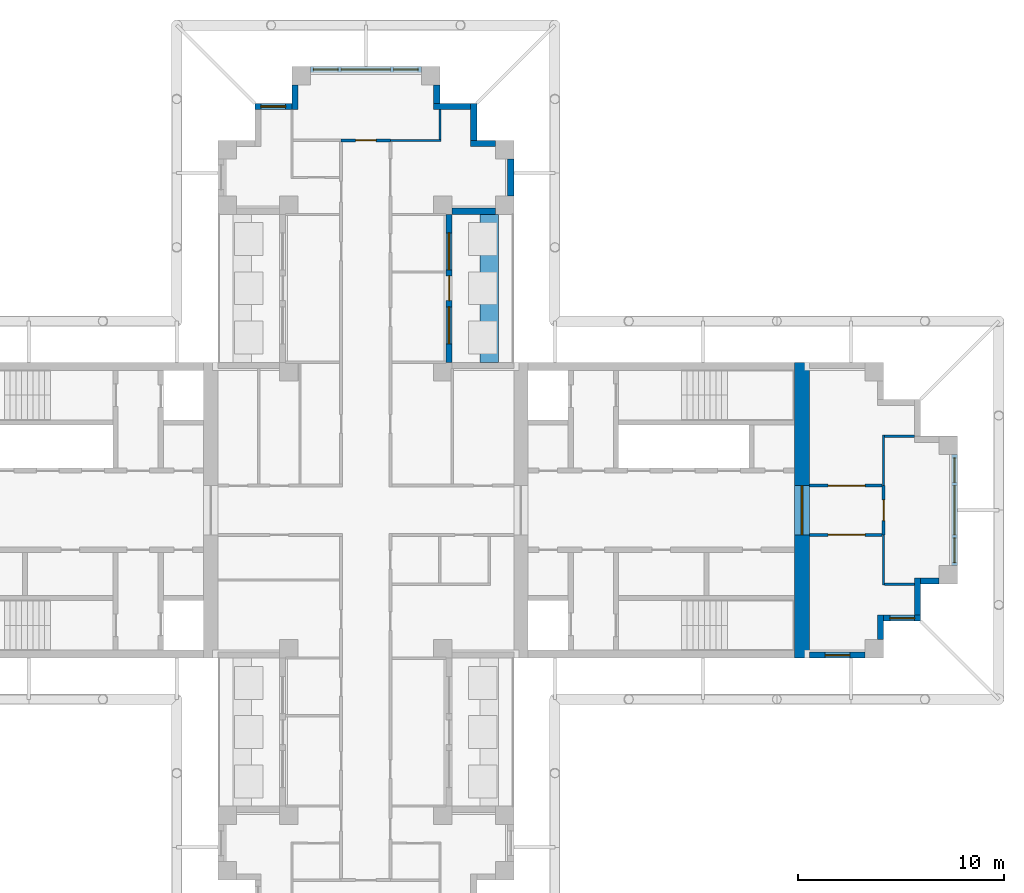
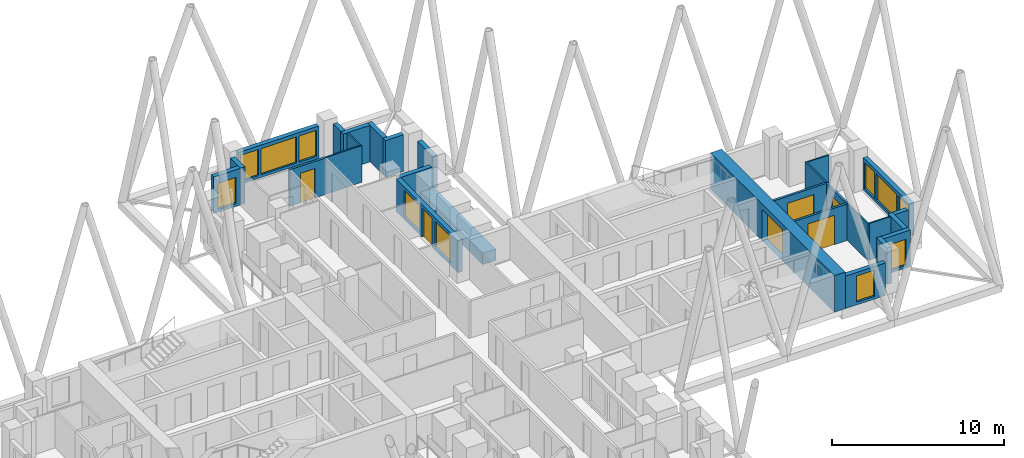
# One storey, part 8 of 11: 28 walls, 11 windows, 6 doors, 17 openings.
"""IFC4 building model written with IfcOpenShell, lengths in metres."""

from ifc_helpers import new_model, si_unit, direction, frame, frame_2d, origin, place, context, subcontext, project, spatial, rectangle, extrude, material, layer, layer_set, type_object, element, fill, save


model = new_model("IFC4")

# Units and contexts
model_context = context("Model", 3, precision=1e-05, world=origin(), true_north=direction((0.0, 1.0)))
body_context = subcontext(model_context, "Body", "Model", "MODEL_VIEW")
ifc_project = project(units=[si_unit("LENGTHUNIT", "METRE"), si_unit("AREAUNIT", "SQUARE_METRE"), si_unit("VOLUMEUNIT", "CUBIC_METRE"), si_unit("PLANEANGLEUNIT", "RADIAN"), si_unit("MASSUNIT", "GRAM", prefix="KILO")], contexts=[model_context])

# Site, building, storey
site_placement = place(None, origin())
site = spatial("IfcSite", under=ifc_project, at=site_placement, CompositionType="ELEMENT")
building_placement = place(site_placement, origin())
building = spatial("IfcBuilding", under=site, at=building_placement, Name="Fustian Cross Tower", CompositionType="ELEMENT")
storey_placement = place(building_placement, frame((0.0, 0.0, 198.89990234375)))
storey = spatial("IfcBuildingStorey", under=building, at=storey_placement, Name="L62", CompositionType="ELEMENT", Elevation=198.89990234375)

# Wall, opening, door
ifc_material_1 = material(Name="Plasterboard on steel stud", Category="steel")
ifc_layer_1 = layer(ifc_material_1, 0.14990234375)
ifc_layer_set_1 = layer_set([ifc_layer_1], Name="Plasterboard on steel stud")
wall_type_1 = type_object("IfcWallType", Name="COMPARTMENT WALL 150 EI 60", PredefinedType="PARTITIONING", material=ifc_layer_set_1)
wall_1_placement = place(storey_placement, frame((-1.199951171875, 18.0, 0.0), z_axis=(0.0, 0.0, 1.0), x_axis=(1.0, 0.0, 0.0)))
wall_1 = element("IfcWall", 1, at=wall_1_placement, inside=storey, type_object=wall_type_1, Name="Partition 29", PredefinedType="PARTITIONING", context=body_context, shape_type="SweptSolid", body=[
    extrude(rectangle(XDim=2.39990234375, YDim=0.14990234375, at=frame_2d((1.199951171875, 0.0))), origin(), (0.0, 0.0, 1.0), 2.60009765625),
])
opening_1_placement = place(wall_1_placement, frame((0.699951171875, 0.0, 0.0)))
opening_1 = element("IfcOpeningElement", 2, at=opening_1_placement, cuts=wall_1, Name="Opening D29014", PredefinedType="OPENING", context=body_context, shape_type="SweptSolid", body=[
    extrude(rectangle(XDim=1.0, YDim=2.10009765625, at=frame_2d((0.5, 1.050048828125))), frame((0.0, 0.0849609375, 0.0), z_axis=(0.0, -1.0, 0.0), x_axis=(1.0, 0.0, 0.0)), (0.0, 0.0, 1.0), 0.169921875),
])
ifc_material_2 = material(Name="Timber fire door set", Category="wood")
door_type_1 = type_object("IfcDoorType", Name="FIRE SWING DOOR 1000 FD30S", OperationType="SINGLE_SWING_LEFT", PredefinedType="DOOR", material=ifc_material_2)
door_1_placement = place(opening_1_placement, origin())
door_1 = element("IfcDoor", 3, at=door_1_placement, inside=storey, type_object=door_type_1, Name="Door D29014", OperationType="SINGLE_SWING_LEFT", OverallHeight=2.10009765625, OverallWidth=1.0, PredefinedType="DOOR", context=body_context, shape_type="SweptSolid", body=[
    extrude(rectangle(XDim=1.0, YDim=2.10009765625, at=frame_2d((0.5, 1.050048828125))), frame((0.0, 0.02490234375, 0.0), z_axis=(0.0, -1.0, 0.0), x_axis=(1.0, 0.0, 0.0)), (0.0, 0.0, 1.0), 0.050048828125),
])
fill(opening_1, door_1)

wall_2_placement = place(storey_placement, frame((21.60009765625, -1.199951171875, 0.0), z_axis=(0.0, 0.0, 1.0), x_axis=(1.0, 0.0, 0.0)))
wall_2 = element("IfcWall", 4, at=wall_2_placement, inside=storey, type_object=wall_type_1, Name="Partition 48", PredefinedType="PARTITIONING", context=body_context, shape_type="SweptSolid", body=[
    extrude(rectangle(XDim=3.52490234375, YDim=0.14990234375, at=frame_2d((1.762451171875, 0.0))), origin(), (0.0, 0.0, 1.0), 2.60009765625),
])
opening_2_placement = place(wall_2_placement, frame((0.89990234375, 0.0, 0.0)))
opening_2 = element("IfcOpeningElement", 5, at=opening_2_placement, cuts=wall_2, Name="Opening D29013", PredefinedType="OPENING", context=body_context, shape_type="SweptSolid", body=[
    extrude(rectangle(XDim=1.800048828125, YDim=2.10009765625, at=frame_2d((0.89990234375, 1.050048828125))), frame((0.0, 0.0849609375, 0.0), z_axis=(0.0, -1.0, 0.0), x_axis=(1.0, 0.0, 0.0)), (0.0, 0.0, 1.0), 0.169921875),
])
ifc_material_3 = material(Name="Timber fire door set", Category="wood")
door_type_2 = type_object("IfcDoorType", Name="FIRE DOUBLE DOOR 1800 FD30S", OperationType="DOUBLE_DOOR_DOUBLE_SWING", PredefinedType="DOOR", material=ifc_material_3)
door_2_placement = place(opening_2_placement, origin())
door_2 = element("IfcDoor", 6, at=door_2_placement, inside=storey, type_object=door_type_2, Name="Door D29013", OperationType="DOUBLE_DOOR_DOUBLE_SWING", OverallHeight=2.10009765625, OverallWidth=1.800048828125, PredefinedType="DOOR", context=body_context, shape_type="SweptSolid", body=[
    extrude(rectangle(XDim=1.800048828125, YDim=2.10009765625, at=frame_2d((0.89990234375, 1.050048828125))), frame((0.0, 0.02490234375, 0.0), z_axis=(0.0, -1.0, 0.0), x_axis=(1.0, 0.0, 0.0)), (0.0, 0.0, 1.0), 0.050048828125),
])
fill(opening_2, door_2)

wall_3_placement = place(storey_placement, frame((21.60009765625, 1.199951171875, 0.0), z_axis=(0.0, 0.0, 1.0), x_axis=(1.0, 0.0, 0.0)))
wall_3 = element("IfcWall", 7, at=wall_3_placement, inside=storey, type_object=wall_type_1, Name="Partition 49", PredefinedType="PARTITIONING", context=body_context, shape_type="SweptSolid", body=[
    extrude(rectangle(XDim=3.52490234375, YDim=0.14990234375, at=frame_2d((1.762451171875, 0.0))), origin(), (0.0, 0.0, 1.0), 2.60009765625),
])
opening_3_placement = place(wall_3_placement, frame((0.89990234375, 0.0, 0.0)))
opening_3 = element("IfcOpeningElement", 8, at=opening_3_placement, cuts=wall_3, Name="Opening D29012", PredefinedType="OPENING", context=body_context, shape_type="SweptSolid", body=[
    extrude(rectangle(XDim=1.800048828125, YDim=2.10009765625, at=frame_2d((0.89990234375, 1.050048828125))), frame((0.0, 0.0849609375, 0.0), z_axis=(0.0, -1.0, 0.0), x_axis=(1.0, 0.0, 0.0)), (0.0, 0.0, 1.0), 0.169921875),
])
door_3_placement = place(opening_3_placement, frame((1.800048828125, 0.0, 0.0), z_axis=(0.0, 0.0, 1.0), x_axis=(-1.0, 0.0, 0.0)))
door_3 = element("IfcDoor", 9, at=door_3_placement, inside=storey, type_object=door_type_2, Name="Door D29012", OperationType="DOUBLE_DOOR_DOUBLE_SWING", OverallHeight=2.10009765625, OverallWidth=1.800048828125, PredefinedType="DOOR", context=body_context, shape_type="SweptSolid", body=[
    extrude(rectangle(XDim=1.800048828125, YDim=2.10009765625, at=frame_2d((0.89990234375, 1.050048828125))), frame((0.0, 0.02490234375, 0.0), z_axis=(0.0, -1.0, 0.0), x_axis=(1.0, 0.0, 0.0)), (0.0, 0.0, 1.0), 0.050048828125),
])
fill(opening_3, door_3)

wall_4_placement = place(storey_placement, frame((25.199951171875, -1.199951171875, 0.0), z_axis=(0.0, 0.0, 1.0), x_axis=(0.0, 1.0, 0.0)))
wall_4 = element("IfcWall", 10, at=wall_4_placement, inside=storey, type_object=wall_type_1, Name="Partition 52", PredefinedType="PARTITIONING", context=body_context, shape_type="SweptSolid", body=[
    extrude(rectangle(XDim=2.39990234375, YDim=0.14990234375, at=frame_2d((1.199951171875, 0.0))), origin(), (0.0, 0.0, 1.0), 2.60009765625),
])
opening_4_placement = place(wall_4_placement, frame((0.699951171875, 0.0, 0.0)))
opening_4 = element("IfcOpeningElement", 11, at=opening_4_placement, cuts=wall_4, Name="Opening D29011", PredefinedType="OPENING", context=body_context, shape_type="SweptSolid", body=[
    extrude(rectangle(XDim=1.0, YDim=2.10009765625, at=frame_2d((0.5, 1.050048828125))), frame((0.0, 0.0849609375, 0.0), z_axis=(0.0, -1.0, 0.0), x_axis=(1.0, 0.0, 0.0)), (0.0, 0.0, 1.0), 0.169921875),
])
door_4_placement = place(opening_4_placement, frame((1.0, 0.0, 0.0), z_axis=(0.0, 0.0, 1.0), x_axis=(-1.0, 0.0, 0.0)))
door_4 = element("IfcDoor", 12, at=door_4_placement, inside=storey, type_object=door_type_1, Name="Door D29011", OperationType="SINGLE_SWING_RIGHT", OverallHeight=2.10009765625, OverallWidth=1.0, PredefinedType="DOOR", context=body_context, shape_type="SweptSolid", body=[
    extrude(rectangle(XDim=1.0, YDim=2.10009765625, at=frame_2d((0.5, 1.050048828125))), frame((0.0, 0.02490234375, 0.0), z_axis=(0.0, -1.0, 0.0), x_axis=(1.0, 0.0, 0.0)), (0.0, 0.0, 1.0), 0.050048828125),
])
fill(opening_4, door_4)

ifc_material_4 = material(Name="Concrete C50/60", Category="concrete")
ifc_layer_2 = layer(ifc_material_4, 0.75)
ifc_layer_set_2 = layer_set([ifc_layer_2], Name="Concrete C50/60")
wall_type_2 = type_object("IfcWallType", Name="CORE END WALL 750 C50/60", PredefinedType="SHEAR", material=ifc_layer_set_2)
wall_5_placement = place(storey_placement, frame((21.22509765625, -7.199951171875, 0.0), z_axis=(0.0, 0.0, 1.0), x_axis=(0.0, 1.0, 0.0)))
wall_5 = element("IfcWall", 13, at=wall_5_placement, inside=storey, type_object=wall_type_2, Name="Core end wall", PredefinedType="SHEAR", context=body_context, shape_type="SweptSolid", body=[
    extrude(rectangle(XDim=14.39990234375, YDim=0.75, at=frame_2d((7.199951171875, 0.0))), origin(), (0.0, 0.0, 1.0), 2.60009765625),
])
opening_5_placement = place(wall_5_placement, frame((6.0, 0.0, 0.0)))
opening_5 = element("IfcOpeningElement", 14, at=opening_5_placement, cuts=wall_5, Name="Opening CD-27-13", PredefinedType="OPENING", context=body_context, shape_type="SweptSolid", body=[
    extrude(rectangle(XDim=2.39990234375, YDim=2.199951171875, at=frame_2d((1.199951171875, 1.10009765625))), frame((0.0, 0.385009765625, 0.0), z_axis=(0.0, -1.0, 0.0), x_axis=(1.0, 0.0, 0.0)), (0.0, 0.0, 1.0), 0.77001953125),
])
ifc_material_5 = material(Name="Steel", Category="steel")
door_type_3 = type_object("IfcDoorType", Name="FIRE DOOR FD30S DOUBLE 2400X2200", OperationType="DOUBLE_DOOR_DOUBLE_SWING", PredefinedType="DOOR", material=ifc_material_5)
door_5_placement = place(opening_5_placement, origin())
door_5 = element("IfcDoor", 15, at=door_5_placement, inside=storey, type_object=door_type_3, Name="Core door CD-27-13", OperationType="DOUBLE_DOOR_DOUBLE_SWING", OverallHeight=2.199951171875, OverallWidth=2.39990234375, PredefinedType="DOOR", context=body_context, shape_type="SweptSolid", body=[
    extrude(rectangle(XDim=2.39990234375, YDim=2.199951171875, at=frame_2d((1.199951171875, 1.10009765625))), frame((0.0, 0.02490234375, 0.0), z_axis=(0.0, -1.0, 0.0), x_axis=(1.0, 0.0, 0.0)), (0.0, 0.0, 1.0), 0.050048828125),
])
fill(opening_5, door_5)

# Walls
ifc_material_6 = material(Name="Plasterboard on steel stud", Category="steel")
ifc_layer_3 = layer(ifc_material_6, 0.10009765625)
ifc_layer_set_3 = layer_set([ifc_layer_3], Name="Plasterboard on steel stud")
wall_type_3 = type_object("IfcWallType", Name="PARTITION 100 STUD", PredefinedType="PARTITIONING", material=ifc_layer_set_3)
wall_6_placement = place(storey_placement, frame((1.199951171875, 18.0, 0.0), z_axis=(0.0, 0.0, 1.0), x_axis=(1.0, 0.0, 0.0)))
element("IfcWall", 16, at=wall_6_placement, inside=storey, type_object=wall_type_3, Name="Partition 42", PredefinedType="PARTITIONING", context=body_context, shape_type="SweptSolid", body=[
    extrude(rectangle(XDim=2.449951171875, YDim=0.10009765625, at=frame_2d((1.22509765625, 0.0))), origin(), (0.0, 0.0, 1.0), 2.60009765625),
])
wall_7_placement = place(storey_placement, frame((3.60009765625, 18.050048828125, 0.0), z_axis=(0.0, 0.0, 1.0), x_axis=(0.0, 1.0, 0.0)))
element("IfcWall", 17, at=wall_7_placement, inside=storey, type_object=wall_type_3, Name="Partition 45", PredefinedType="PARTITIONING", context=body_context, shape_type="SweptSolid", body=[
    extrude(rectangle(XDim=1.449951171875, YDim=0.10009765625, at=frame_2d((0.72509765625, 0.0))), origin(), (0.0, 0.0, 1.0), 2.60009765625),
])
wall_8_placement = place(storey_placement, frame((25.199951171875, -3.64990234375, 0.0), z_axis=(0.0, 0.0, 1.0), x_axis=(0.0, 1.0, 0.0)))
element("IfcWall", 18, at=wall_8_placement, inside=storey, type_object=wall_type_3, Name="Partition 50", PredefinedType="PARTITIONING", context=body_context, shape_type="SweptSolid", body=[
    extrude(rectangle(XDim=2.449951171875, YDim=0.10009765625, at=frame_2d((1.22509765625, 0.0))), origin(), (0.0, 0.0, 1.0), 2.60009765625),
])
wall_9_placement = place(storey_placement, frame((25.25, -3.60009765625, 0.0), z_axis=(0.0, 0.0, 1.0), x_axis=(1.0, 0.0, 0.0)))
element("IfcWall", 19, at=wall_9_placement, inside=storey, type_object=wall_type_3, Name="Partition 51", PredefinedType="PARTITIONING", context=body_context, shape_type="SweptSolid", body=[
    extrude(rectangle(XDim=1.449951171875, YDim=0.10009765625, at=frame_2d((0.72509765625, 0.0))), origin(), (0.0, 0.0, 1.0), 2.60009765625),
])
wall_10_placement = place(storey_placement, frame((25.199951171875, 1.199951171875, 0.0), z_axis=(0.0, 0.0, 1.0), x_axis=(0.0, 1.0, 0.0)))
element("IfcWall", 20, at=wall_10_placement, inside=storey, type_object=wall_type_3, Name="Partition 53", PredefinedType="PARTITIONING", context=body_context, shape_type="SweptSolid", body=[
    extrude(rectangle(XDim=2.449951171875, YDim=0.10009765625, at=frame_2d((1.22509765625, 0.0))), origin(), (0.0, 0.0, 1.0), 2.60009765625),
])
wall_11_placement = place(storey_placement, frame((25.25, 3.60009765625, 0.0), z_axis=(0.0, 0.0, 1.0), x_axis=(1.0, 0.0, 0.0)))
element("IfcWall", 21, at=wall_11_placement, inside=storey, type_object=wall_type_3, Name="Partition 54", PredefinedType="PARTITIONING", context=body_context, shape_type="SweptSolid", body=[
    extrude(rectangle(XDim=1.449951171875, YDim=0.10009765625, at=frame_2d((0.72509765625, 0.0))), origin(), (0.0, 0.0, 1.0), 2.60009765625),
])
ifc_material_7 = material(Name="Concrete C40/50", Category="concrete")
ifc_layer_4 = layer(ifc_material_7, 0.89990234375)
ifc_layer_set_4 = layer_set([ifc_layer_4], Name="Concrete C40/50")
wall_type_4 = type_object("IfcWallType", Name="PK1 PLANTER 900", PredefinedType="PARAPET", material=ifc_layer_set_4)
wall_12_placement = place(storey_placement, frame((6.0, 7.199951171875, 0.0), z_axis=(0.0, 0.0, 1.0), x_axis=(0.0, 1.0, 0.0)))
element("IfcWall", 22, at=wall_12_placement, inside=storey, type_object=wall_type_4, Name="PLANTER", PredefinedType="PARAPET", context=body_context, shape_type="SweptSolid", body=[
    extrude(rectangle(XDim=7.199951171875, YDim=0.89990234375, at=frame_2d((3.60009765625, 0.0))), origin(), (0.0, 0.0, 1.0), 0.800048828125),
])

# Wall, opening, window
ifc_material_8 = material(Name="Dark aluminium cladding on insulated backing wall", Category="aluminium")
ifc_layer_5 = layer(ifc_material_8, 0.300048828125)
ifc_layer_set_5 = layer_set([ifc_layer_5], Name="Dark aluminium cladding on insulated backing wall")
wall_type_5 = type_object("IfcWallType", Name="XW1 EXTERNAL WALL 300", PredefinedType="SOLIDWALL", material=ifc_layer_set_5)
wall_13_placement = place(storey_placement, frame((21.60009765625, -7.050048828125, 0.0), z_axis=(0.0, 0.0, 1.0), x_axis=(1.0, 0.0, 0.0)))
wall_13 = element("IfcWall", 23, at=wall_13_placement, inside=storey, type_object=wall_type_5, Name="External wall", PredefinedType="SOLIDWALL", context=body_context, shape_type="SweptSolid", body=[
    extrude(rectangle(XDim=2.699951171875, YDim=0.300048828125, at=frame_2d((1.35009765625, 0.0))), origin(), (0.0, 0.0, 1.0), 2.300048828125),
])
opening_6_placement = place(wall_13_placement, frame((0.75, 0.0, 0.199951171875)))
opening_6 = element("IfcOpeningElement", 24, at=opening_6_placement, cuts=wall_13, Name="Opening WN3", PredefinedType="OPENING", context=body_context, shape_type="SweptSolid", body=[
    extrude(rectangle(XDim=1.199951171875, YDim=1.85009765625, at=frame_2d((0.60009765625, 0.925048828125))), frame((0.0, 0.159912109375, 0.0), z_axis=(0.0, -1.0, 0.0), x_axis=(1.0, 0.0, 0.0)), (0.0, 0.0, 1.0), 0.320068359375),
])
ifc_material_9 = material(Name="Dark anodised aluminium and double glazing", Category="aluminium")
window_type_1 = type_object("IfcWindowType", Name="WN3 WINDOW 1200X1850", PartitioningType="SINGLE_PANEL", PredefinedType="WINDOW", material=ifc_material_9)
window_1_placement = place(opening_6_placement, origin())
window_1 = element("IfcWindow", 25, at=window_1_placement, inside=storey, type_object=window_type_1, Name="Window", OverallHeight=1.85009765625, OverallWidth=1.199951171875, PartitioningType="SINGLE_PANEL", PredefinedType="WINDOW", context=body_context, shape_type="SweptSolid", body=[
    extrude(rectangle(XDim=1.199951171875, YDim=1.85009765625, at=frame_2d((0.60009765625, 0.925048828125))), frame((0.0, 0.030029296875, 0.0), z_axis=(0.0, -1.0, 0.0), x_axis=(1.0, 0.0, 0.0)), (0.0, 0.0, 1.0), 0.06005859375),
])
fill(opening_6, window_1)

# Wall
wall_14_placement = place(storey_placement, frame((25.050048828125, -6.300048828125, 0.0), z_axis=(0.0, 0.0, 1.0), x_axis=(0.0, 1.0, 0.0)))
element("IfcWall", 26, at=wall_14_placement, inside=storey, type_object=wall_type_5, Name="External wall", PredefinedType="SOLIDWALL", context=body_context, shape_type="SweptSolid", body=[
    extrude(rectangle(XDim=1.199951171875, YDim=0.300048828125, at=frame_2d((0.60009765625, 0.0))), origin(), (0.0, 0.0, 1.0), 2.60009765625),
])

# Wall, opening, window
wall_15_placement = place(storey_placement, frame((25.199951171875, -5.25, 0.0), z_axis=(0.0, 0.0, 1.0), x_axis=(1.0, 0.0, 0.0)))
wall_15 = element("IfcWall", 27, at=wall_15_placement, inside=storey, type_object=wall_type_5, Name="External wall", PredefinedType="SOLIDWALL", context=body_context, shape_type="SweptSolid", body=[
    extrude(rectangle(XDim=1.800048828125, YDim=0.300048828125, at=frame_2d((0.89990234375, 0.0))), origin(), (0.0, 0.0, 1.0), 2.60009765625),
])
opening_7_placement = place(wall_15_placement, frame((0.300048828125, 0.0, 0.199951171875)))
opening_7 = element("IfcOpeningElement", 28, at=opening_7_placement, cuts=wall_15, Name="Opening WN3", PredefinedType="OPENING", context=body_context, shape_type="SweptSolid", body=[
    extrude(rectangle(XDim=1.199951171875, YDim=1.85009765625, at=frame_2d((0.60009765625, 0.925048828125))), frame((0.0, 0.159912109375, 0.0), z_axis=(0.0, -1.0, 0.0), x_axis=(1.0, 0.0, 0.0)), (0.0, 0.0, 1.0), 0.320068359375),
])
window_2_placement = place(opening_7_placement, origin())
window_2 = element("IfcWindow", 29, at=window_2_placement, inside=storey, type_object=window_type_1, Name="Window", OverallHeight=1.85009765625, OverallWidth=1.199951171875, PartitioningType="SINGLE_PANEL", PredefinedType="WINDOW", context=body_context, shape_type="SweptSolid", body=[
    extrude(rectangle(XDim=1.199951171875, YDim=1.85009765625, at=frame_2d((0.60009765625, 0.925048828125))), frame((0.0, 0.030029296875, 0.0), z_axis=(0.0, -1.0, 0.0), x_axis=(1.0, 0.0, 0.0)), (0.0, 0.0, 1.0), 0.06005859375),
])
fill(opening_7, window_2)

# Walls
wall_16_placement = place(storey_placement, frame((26.85009765625, -5.10009765625, 0.0), z_axis=(0.0, 0.0, 1.0), x_axis=(0.0, 1.0, 0.0)))
element("IfcWall", 30, at=wall_16_placement, inside=storey, type_object=wall_type_5, Name="External wall", PredefinedType="SOLIDWALL", context=body_context, shape_type="SweptSolid", body=[
    extrude(rectangle(XDim=1.800048828125, YDim=0.300048828125, at=frame_2d((0.89990234375, 0.0))), origin(), (0.0, 0.0, 1.0), 2.60009765625),
])
wall_17_placement = place(storey_placement, frame((27.0, -3.449951171875, 0.0), z_axis=(0.0, 0.0, 1.0), x_axis=(1.0, 0.0, 0.0)))
element("IfcWall", 31, at=wall_17_placement, inside=storey, type_object=wall_type_5, Name="External wall", PredefinedType="SOLIDWALL", context=body_context, shape_type="SweptSolid", body=[
    extrude(rectangle(XDim=0.89990234375, YDim=0.300048828125, at=frame_2d((0.449951171875, 0.0))), origin(), (0.0, 0.0, 1.0), 2.60009765625),
])

# Wall, openings, windows
wall_18_placement = place(storey_placement, frame((28.64990234375, -2.699951171875, 0.0), z_axis=(0.0, 0.0, 1.0), x_axis=(0.0, 1.0, 0.0)))
wall_18 = element("IfcWall", 32, at=wall_18_placement, inside=storey, type_object=wall_type_5, Name="External wall", PredefinedType="SOLIDWALL", context=body_context, shape_type="SweptSolid", body=[
    extrude(rectangle(XDim=5.39990234375, YDim=0.300048828125, at=frame_2d((2.699951171875, 0.0))), origin(), (0.0, 0.0, 1.0), 2.300048828125),
])
opening_8_placement = place(wall_18_placement, frame((1.5, 0.0, 0.199951171875)))
opening_8 = element("IfcOpeningElement", 33, at=opening_8_placement, cuts=wall_18, Name="Opening WN1", PredefinedType="OPENING", context=body_context, shape_type="SweptSolid", body=[
    extrude(rectangle(XDim=2.39990234375, YDim=1.85009765625, at=frame_2d((1.199951171875, 0.925048828125))), frame((0.0, 0.159912109375, 0.0), z_axis=(0.0, -1.0, 0.0), x_axis=(1.0, 0.0, 0.0)), (0.0, 0.0, 1.0), 0.320068359375),
])
opening_9_placement = place(wall_18_placement, frame((0.14990234375, 0.0, 0.199951171875)))
opening_9 = element("IfcOpeningElement", 34, at=opening_9_placement, cuts=wall_18, Name="Opening WN3", PredefinedType="OPENING", context=body_context, shape_type="SweptSolid", body=[
    extrude(rectangle(XDim=1.199951171875, YDim=1.85009765625, at=frame_2d((0.60009765625, 0.925048828125))), frame((0.0, 0.159912109375, 0.0), z_axis=(0.0, -1.0, 0.0), x_axis=(1.0, 0.0, 0.0)), (0.0, 0.0, 1.0), 0.320068359375),
])
opening_10_placement = place(wall_18_placement, frame((4.050048828125, 0.0, 0.199951171875)))
opening_10 = element("IfcOpeningElement", 35, at=opening_10_placement, cuts=wall_18, Name="Opening WN3", PredefinedType="OPENING", context=body_context, shape_type="SweptSolid", body=[
    extrude(rectangle(XDim=1.199951171875, YDim=1.85009765625, at=frame_2d((0.60009765625, 0.925048828125))), frame((0.0, 0.159912109375, 0.0), z_axis=(0.0, -1.0, 0.0), x_axis=(1.0, 0.0, 0.0)), (0.0, 0.0, 1.0), 0.320068359375),
])
ifc_material_10 = material(Name="Dark anodised aluminium and double glazing", Category="aluminium")
window_type_2 = type_object("IfcWindowType", Name="WN1 WINDOW 2400X1850", PartitioningType="SINGLE_PANEL", PredefinedType="WINDOW", material=ifc_material_10)
window_3_placement = place(opening_8_placement, origin())
window_3 = element("IfcWindow", 36, at=window_3_placement, inside=storey, type_object=window_type_2, Name="Window", OverallHeight=1.85009765625, OverallWidth=2.39990234375, PartitioningType="SINGLE_PANEL", PredefinedType="WINDOW", context=body_context, shape_type="SweptSolid", body=[
    extrude(rectangle(XDim=2.39990234375, YDim=1.85009765625, at=frame_2d((1.199951171875, 0.925048828125))), frame((0.0, 0.030029296875, 0.0), z_axis=(0.0, -1.0, 0.0), x_axis=(1.0, 0.0, 0.0)), (0.0, 0.0, 1.0), 0.06005859375),
])
fill(opening_8, window_3)
window_4_placement = place(opening_9_placement, origin())
window_4 = element("IfcWindow", 37, at=window_4_placement, inside=storey, type_object=window_type_1, Name="Window", OverallHeight=1.85009765625, OverallWidth=1.199951171875, PartitioningType="SINGLE_PANEL", PredefinedType="WINDOW", context=body_context, shape_type="SweptSolid", body=[
    extrude(rectangle(XDim=1.199951171875, YDim=1.85009765625, at=frame_2d((0.60009765625, 0.925048828125))), frame((0.0, 0.030029296875, 0.0), z_axis=(0.0, -1.0, 0.0), x_axis=(1.0, 0.0, 0.0)), (0.0, 0.0, 1.0), 0.06005859375),
])
fill(opening_9, window_4)
window_5_placement = place(opening_10_placement, origin())
window_5 = element("IfcWindow", 38, at=window_5_placement, inside=storey, type_object=window_type_1, Name="Window", OverallHeight=1.85009765625, OverallWidth=1.199951171875, PartitioningType="SINGLE_PANEL", PredefinedType="WINDOW", context=body_context, shape_type="SweptSolid", body=[
    extrude(rectangle(XDim=1.199951171875, YDim=1.85009765625, at=frame_2d((0.60009765625, 0.925048828125))), frame((0.0, 0.030029296875, 0.0), z_axis=(0.0, -1.0, 0.0), x_axis=(1.0, 0.0, 0.0)), (0.0, 0.0, 1.0), 0.06005859375),
])
fill(opening_10, window_5)

# Wall, openings, door, windows
wall_19_placement = place(storey_placement, frame((4.050048828125, 7.199951171875, 0.0), z_axis=(0.0, 0.0, 1.0), x_axis=(0.0, 1.0, 0.0)))
wall_19 = element("IfcWall", 39, at=wall_19_placement, inside=storey, type_object=wall_type_5, Name="External wall", PredefinedType="SOLIDWALL", context=body_context, shape_type="SweptSolid", body=[
    extrude(rectangle(XDim=7.199951171875, YDim=0.300048828125, at=frame_2d((3.60009765625, 0.0))), origin(), (0.0, 0.0, 1.0), 2.300048828125),
])
opening_11_placement = place(wall_19_placement, frame((3.0, 0.0, 0.0)))
opening_11 = element("IfcOpeningElement", 40, at=opening_11_placement, cuts=wall_19, Name="Opening XD1", PredefinedType="OPENING", context=body_context, shape_type="SweptSolid", body=[
    extrude(rectangle(XDim=1.199951171875, YDim=2.050048828125, at=frame_2d((0.60009765625, 1.02490234375))), frame((0.0, 0.159912109375, 0.0), z_axis=(0.0, -1.0, 0.0), x_axis=(1.0, 0.0, 0.0)), (0.0, 0.0, 1.0), 0.320068359375),
])
opening_12_placement = place(wall_19_placement, frame((0.89990234375, 0.0, 0.199951171875)))
opening_12 = element("IfcOpeningElement", 41, at=opening_12_placement, cuts=wall_19, Name="Opening WN2", PredefinedType="OPENING", context=body_context, shape_type="SweptSolid", body=[
    extrude(rectangle(XDim=1.800048828125, YDim=1.85009765625, at=frame_2d((0.89990234375, 0.925048828125))), frame((0.0, 0.159912109375, 0.0), z_axis=(0.0, -1.0, 0.0), x_axis=(1.0, 0.0, 0.0)), (0.0, 0.0, 1.0), 0.320068359375),
])
opening_13_placement = place(wall_19_placement, frame((4.5, 0.0, 0.199951171875)))
opening_13 = element("IfcOpeningElement", 42, at=opening_13_placement, cuts=wall_19, Name="Opening WN2", PredefinedType="OPENING", context=body_context, shape_type="SweptSolid", body=[
    extrude(rectangle(XDim=1.800048828125, YDim=1.85009765625, at=frame_2d((0.89990234375, 0.925048828125))), frame((0.0, 0.159912109375, 0.0), z_axis=(0.0, -1.0, 0.0), x_axis=(1.0, 0.0, 0.0)), (0.0, 0.0, 1.0), 0.320068359375),
])
ifc_material_11 = material(Name="Dark anodised aluminium and double glazing", Category="aluminium")
door_type_4 = type_object("IfcDoorType", Name="ED1 BALCONY DOOR 1200X2050", OperationType="SINGLE_SWING_LEFT", PredefinedType="DOOR", material=ifc_material_11)
door_6_placement = place(opening_11_placement, origin())
door_6 = element("IfcDoor", 43, at=door_6_placement, inside=storey, type_object=door_type_4, Name="Balcony door", OperationType="SINGLE_SWING_LEFT", OverallHeight=2.050048828125, OverallWidth=1.199951171875, PredefinedType="DOOR", context=body_context, shape_type="SweptSolid", body=[
    extrude(rectangle(XDim=1.199951171875, YDim=2.050048828125, at=frame_2d((0.60009765625, 1.02490234375))), frame((0.0, 0.02490234375, 0.0), z_axis=(0.0, -1.0, 0.0), x_axis=(1.0, 0.0, 0.0)), (0.0, 0.0, 1.0), 0.050048828125),
])
fill(opening_11, door_6)
ifc_material_12 = material(Name="Dark anodised aluminium and double glazing", Category="aluminium")
window_type_3 = type_object("IfcWindowType", Name="WN2 WINDOW 1800X1850", PartitioningType="SINGLE_PANEL", PredefinedType="WINDOW", material=ifc_material_12)
window_6_placement = place(opening_12_placement, origin())
window_6 = element("IfcWindow", 44, at=window_6_placement, inside=storey, type_object=window_type_3, Name="Window", OverallHeight=1.85009765625, OverallWidth=1.800048828125, PartitioningType="SINGLE_PANEL", PredefinedType="WINDOW", context=body_context, shape_type="SweptSolid", body=[
    extrude(rectangle(XDim=1.800048828125, YDim=1.85009765625, at=frame_2d((0.89990234375, 0.925048828125))), frame((0.0, 0.030029296875, 0.0), z_axis=(0.0, -1.0, 0.0), x_axis=(1.0, 0.0, 0.0)), (0.0, 0.0, 1.0), 0.06005859375),
])
fill(opening_12, window_6)
window_7_placement = place(opening_13_placement, origin())
window_7 = element("IfcWindow", 45, at=window_7_placement, inside=storey, type_object=window_type_3, Name="Window", OverallHeight=1.85009765625, OverallWidth=1.800048828125, PartitioningType="SINGLE_PANEL", PredefinedType="WINDOW", context=body_context, shape_type="SweptSolid", body=[
    extrude(rectangle(XDim=1.800048828125, YDim=1.85009765625, at=frame_2d((0.89990234375, 0.925048828125))), frame((0.0, 0.030029296875, 0.0), z_axis=(0.0, -1.0, 0.0), x_axis=(1.0, 0.0, 0.0)), (0.0, 0.0, 1.0), 0.06005859375),
])
fill(opening_13, window_7)

# Walls
wall_20_placement = place(storey_placement, frame((4.199951171875, 14.550048828125, 0.0), z_axis=(0.0, 0.0, 1.0), x_axis=(1.0, 0.0, 0.0)))
element("IfcWall", 46, at=wall_20_placement, inside=storey, type_object=wall_type_5, Name="External wall", PredefinedType="SOLIDWALL", context=body_context, shape_type="SweptSolid", body=[
    extrude(rectangle(XDim=2.10009765625, YDim=0.300048828125, at=frame_2d((1.050048828125, 0.0))), origin(), (0.0, 0.0, 1.0), 2.300048828125),
])
wall_21_placement = place(storey_placement, frame((7.050048828125, 15.300048828125, 0.0), z_axis=(0.0, 0.0, 1.0), x_axis=(0.0, 1.0, 0.0)))
element("IfcWall", 47, at=wall_21_placement, inside=storey, type_object=wall_type_5, Name="External wall", PredefinedType="SOLIDWALL", context=body_context, shape_type="SweptSolid", body=[
    extrude(rectangle(XDim=1.800048828125, YDim=0.300048828125, at=frame_2d((0.89990234375, 0.0))), origin(), (0.0, 0.0, 1.0), 2.300048828125),
])
wall_22_placement = place(storey_placement, frame((6.300048828125, 17.85009765625, 0.0), z_axis=(0.0, 0.0, 1.0), x_axis=(-1.0, 0.0, 0.0)))
element("IfcWall", 48, at=wall_22_placement, inside=storey, type_object=wall_type_5, Name="External wall", PredefinedType="SOLIDWALL", context=body_context, shape_type="SweptSolid", body=[
    extrude(rectangle(XDim=1.199951171875, YDim=0.300048828125, at=frame_2d((0.60009765625, 0.0))), origin(), (0.0, 0.0, 1.0), 2.60009765625),
])
for number, where, z_axis, x_axis, name in (
    (49, (5.25, 18.0, 0.0), (0.0, 0.0, 1.0), (0.0, 1.0, 0.0), "External wall"),
    (50, (5.10009765625, 19.64990234375, 0.0), (0.0, 0.0, 1.0), (-1.0, 0.0, 0.0), "External wall"),
):
    element("IfcWall", number, at=place(storey_placement, frame(where, z_axis=z_axis, x_axis=x_axis)), inside=storey, type_object=wall_type_5, Name=name, PredefinedType="SOLIDWALL", context=body_context, shape_type="SweptSolid", body=[
        extrude(rectangle(XDim=1.800048828125, YDim=0.300048828125, at=frame_2d((0.89990234375, 0.0))), origin(), (0.0, 0.0, 1.0), 2.60009765625),
    ])
wall_23_placement = place(storey_placement, frame((3.449951171875, 19.800048828125, 0.0), z_axis=(0.0, 0.0, 1.0), x_axis=(0.0, 1.0, 0.0)))
element("IfcWall", 51, at=wall_23_placement, inside=storey, type_object=wall_type_5, Name="External wall", PredefinedType="SOLIDWALL", context=body_context, shape_type="SweptSolid", body=[
    extrude(rectangle(XDim=0.89990234375, YDim=0.300048828125, at=frame_2d((0.449951171875, 0.0))), origin(), (0.0, 0.0, 1.0), 2.60009765625),
])

# Wall, openings, windows
wall_24_placement = place(storey_placement, frame((2.699951171875, 21.449951171875, 0.0), z_axis=(0.0, 0.0, 1.0), x_axis=(-1.0, 0.0, 0.0)))
wall_24 = element("IfcWall", 52, at=wall_24_placement, inside=storey, type_object=wall_type_5, Name="External wall", PredefinedType="SOLIDWALL", context=body_context, shape_type="SweptSolid", body=[
    extrude(rectangle(XDim=5.39990234375, YDim=0.300048828125, at=frame_2d((2.699951171875, 0.0))), origin(), (0.0, 0.0, 1.0), 2.300048828125),
])
opening_14_placement = place(wall_24_placement, frame((1.5, 0.0, 0.199951171875)))
opening_14 = element("IfcOpeningElement", 53, at=opening_14_placement, cuts=wall_24, Name="Opening WN1", PredefinedType="OPENING", context=body_context, shape_type="SweptSolid", body=[
    extrude(rectangle(XDim=2.39990234375, YDim=1.85009765625, at=frame_2d((1.199951171875, 0.925048828125))), frame((0.0, 0.159912109375, 0.0), z_axis=(0.0, -1.0, 0.0), x_axis=(1.0, 0.0, 0.0)), (0.0, 0.0, 1.0), 0.320068359375),
])
opening_15_placement = place(wall_24_placement, frame((0.14990234375, 0.0, 0.199951171875)))
opening_15 = element("IfcOpeningElement", 54, at=opening_15_placement, cuts=wall_24, Name="Opening WN3", PredefinedType="OPENING", context=body_context, shape_type="SweptSolid", body=[
    extrude(rectangle(XDim=1.199951171875, YDim=1.85009765625, at=frame_2d((0.60009765625, 0.925048828125))), frame((0.0, 0.159912109375, 0.0), z_axis=(0.0, -1.0, 0.0), x_axis=(1.0, 0.0, 0.0)), (0.0, 0.0, 1.0), 0.320068359375),
])
opening_16_placement = place(wall_24_placement, frame((4.050048828125, 0.0, 0.199951171875)))
opening_16 = element("IfcOpeningElement", 55, at=opening_16_placement, cuts=wall_24, Name="Opening WN3", PredefinedType="OPENING", context=body_context, shape_type="SweptSolid", body=[
    extrude(rectangle(XDim=1.199951171875, YDim=1.85009765625, at=frame_2d((0.60009765625, 0.925048828125))), frame((0.0, 0.159912109375, 0.0), z_axis=(0.0, -1.0, 0.0), x_axis=(1.0, 0.0, 0.0)), (0.0, 0.0, 1.0), 0.320068359375),
])
window_8_placement = place(opening_14_placement, origin())
window_8 = element("IfcWindow", 56, at=window_8_placement, inside=storey, type_object=window_type_2, Name="Window", OverallHeight=1.85009765625, OverallWidth=2.39990234375, PartitioningType="SINGLE_PANEL", PredefinedType="WINDOW", context=body_context, shape_type="SweptSolid", body=[
    extrude(rectangle(XDim=2.39990234375, YDim=1.85009765625, at=frame_2d((1.199951171875, 0.925048828125))), frame((0.0, 0.030029296875, 0.0), z_axis=(0.0, -1.0, 0.0), x_axis=(1.0, 0.0, 0.0)), (0.0, 0.0, 1.0), 0.06005859375),
])
fill(opening_14, window_8)
window_9_placement = place(opening_15_placement, origin())
window_9 = element("IfcWindow", 57, at=window_9_placement, inside=storey, type_object=window_type_1, Name="Window", OverallHeight=1.85009765625, OverallWidth=1.199951171875, PartitioningType="SINGLE_PANEL", PredefinedType="WINDOW", context=body_context, shape_type="SweptSolid", body=[
    extrude(rectangle(XDim=1.199951171875, YDim=1.85009765625, at=frame_2d((0.60009765625, 0.925048828125))), frame((0.0, 0.030029296875, 0.0), z_axis=(0.0, -1.0, 0.0), x_axis=(1.0, 0.0, 0.0)), (0.0, 0.0, 1.0), 0.06005859375),
])
fill(opening_15, window_9)
window_10_placement = place(opening_16_placement, origin())
window_10 = element("IfcWindow", 58, at=window_10_placement, inside=storey, type_object=window_type_1, Name="Window", OverallHeight=1.85009765625, OverallWidth=1.199951171875, PartitioningType="SINGLE_PANEL", PredefinedType="WINDOW", context=body_context, shape_type="SweptSolid", body=[
    extrude(rectangle(XDim=1.199951171875, YDim=1.85009765625, at=frame_2d((0.60009765625, 0.925048828125))), frame((0.0, 0.030029296875, 0.0), z_axis=(0.0, -1.0, 0.0), x_axis=(1.0, 0.0, 0.0)), (0.0, 0.0, 1.0), 0.06005859375),
])
fill(opening_16, window_10)

# Wall
wall_25_placement = place(storey_placement, frame((-3.449951171875, 20.699951171875, 0.0), z_axis=(0.0, 0.0, 1.0), x_axis=(0.0, -1.0, 0.0)))
element("IfcWall", 59, at=wall_25_placement, inside=storey, type_object=wall_type_5, Name="External wall", PredefinedType="SOLIDWALL", context=body_context, shape_type="SweptSolid", body=[
    extrude(rectangle(XDim=1.199951171875, YDim=0.300048828125, at=frame_2d((0.60009765625, 0.0))), origin(), (0.0, 0.0, 1.0), 2.60009765625),
])

# Wall, opening, window
wall_26_placement = place(storey_placement, frame((-3.60009765625, 19.64990234375, 0.0), z_axis=(0.0, 0.0, 1.0), x_axis=(-1.0, 0.0, 0.0)))
wall_26 = element("IfcWall", 60, at=wall_26_placement, inside=storey, type_object=wall_type_5, Name="External wall", PredefinedType="SOLIDWALL", context=body_context, shape_type="SweptSolid", body=[
    extrude(rectangle(XDim=1.7998046875, YDim=0.300048828125, at=frame_2d((0.89990234375, 0.0))), origin(), (0.0, 0.0, 1.0), 2.60009765625),
])
opening_17_placement = place(wall_26_placement, frame((0.300048828125, 0.0, 0.199951171875)))
opening_17 = element("IfcOpeningElement", 61, at=opening_17_placement, cuts=wall_26, Name="Opening WN3", PredefinedType="OPENING", context=body_context, shape_type="SweptSolid", body=[
    extrude(rectangle(XDim=1.199951171875, YDim=1.85009765625, at=frame_2d((0.60009765625, 0.925048828125))), frame((0.0, 0.159912109375, 0.0), z_axis=(0.0, -1.0, 0.0), x_axis=(1.0, 0.0, 0.0)), (0.0, 0.0, 1.0), 0.320068359375),
])
window_11_placement = place(opening_17_placement, origin())
window_11 = element("IfcWindow", 62, at=window_11_placement, inside=storey, type_object=window_type_1, Name="Window", OverallHeight=1.85009765625, OverallWidth=1.199951171875, PartitioningType="SINGLE_PANEL", PredefinedType="WINDOW", context=body_context, shape_type="SweptSolid", body=[
    extrude(rectangle(XDim=1.199951171875, YDim=1.85009765625, at=frame_2d((0.60009765625, 0.925048828125))), frame((0.0, 0.030029296875, 0.0), z_axis=(0.0, -1.0, 0.0), x_axis=(1.0, 0.0, 0.0)), (0.0, 0.0, 1.0), 0.06005859375),
])
fill(opening_17, window_11)

save(model, "model.ifc")
